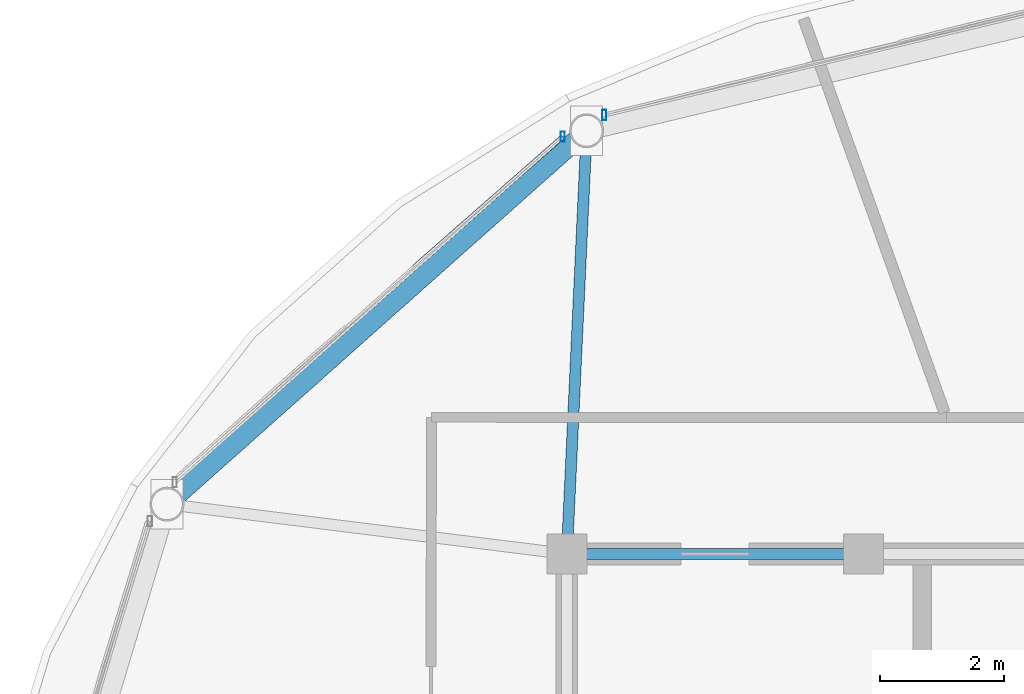
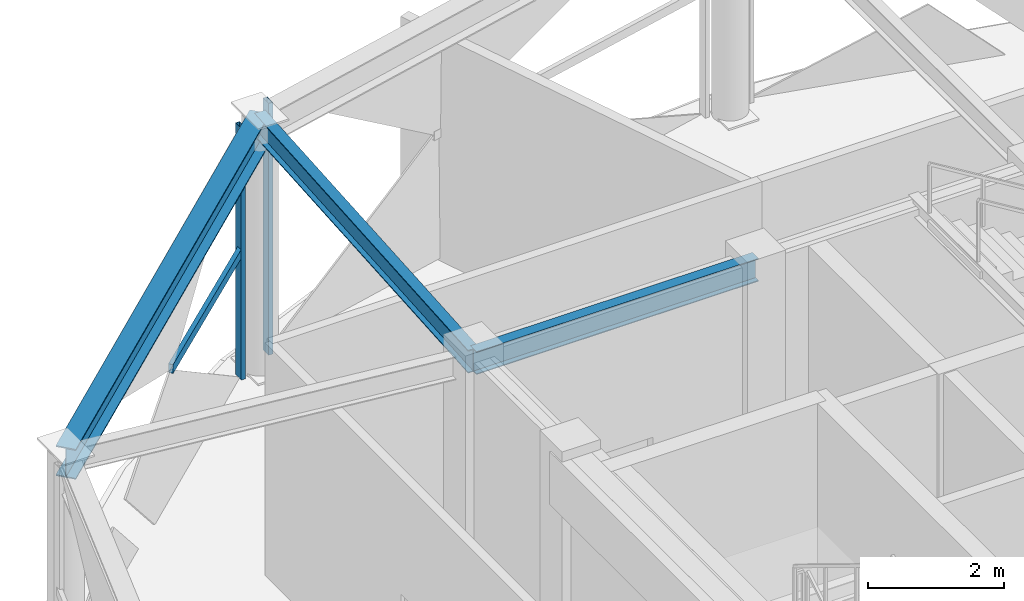
# One storey, part 9 of 22: 3 beams, 3 members, 2 elements without a shape of their own.
"""IFC4 building model written with IfcOpenShell, lengths in metres."""

from ifc_helpers import new_model, si_unit, direction, frame, origin, origin_2d, place, context, subcontext, project, spatial, hollow_rectangle, i_section, extrude, material, layer, layer_set, material_profile, profile_set, type_object, element, aggregate, save


model = new_model("IFC4")

# Units and contexts
model_context = context("Model", 3, precision=1e-05, world=origin(), true_north=direction((0.0, 1.0)))
body_context = subcontext(model_context, "Body", "Model", "MODEL_VIEW")
ifc_project = project(units=[si_unit("LENGTHUNIT", "METRE"), si_unit("AREAUNIT", "SQUARE_METRE"), si_unit("VOLUMEUNIT", "CUBIC_METRE"), si_unit("PLANEANGLEUNIT", "RADIAN"), si_unit("MASSUNIT", "GRAM", prefix="KILO")], contexts=[model_context])

# Site, building, storey
site_placement = place(None, origin())
site = spatial("IfcSite", under=ifc_project, at=site_placement, CompositionType="ELEMENT")
building_placement = place(site_placement, origin())
building = spatial("IfcBuilding", under=site, at=building_placement, Name="Vantalir Tower", CompositionType="ELEMENT")
storey_placement = place(building_placement, frame((0.0, 0.0, 294.89990234375)))
storey = spatial("IfcBuildingStorey", under=building, at=storey_placement, Name="L74", CompositionType="ELEMENT", Elevation=294.89990234375)

# Beams
ifc_material_1 = material(Name="Steel S355", Category="steel")
ifc_material_profile_1 = material_profile(ifc_material_1, i_section(OverallWidth=0.179931640625, OverallDepth=0.4130859375, WebThickness=0.009521484375, FlangeThickness=0.01611328125, at=origin_2d()), Name="Steel S355")
ifc_profile_set_1 = profile_set([ifc_material_profile_1], Name="Steel S355")
beam_type_1 = type_object("IfcBeamType", Name="BM-RB-406x178", PredefinedType="BEAM", material=ifc_profile_set_1)
beam_1_placement = place(storey_placement, frame((26.699951171875, 32.449951171875, 4.4140625), z_axis=(-1.0, 0.0, 0.0), x_axis=(0.0, -1.0, 0.0)))
element("IfcBeam", 1, at=beam_1_placement, inside=storey, type_object=beam_type_1, Name="L74 Core Coupling Girder 11", PredefinedType="BEAM", context=body_context, shape_type="SweptSolid", body=[
    extrude(i_section(OverallWidth=0.179931640625, OverallDepth=0.4130859375, WebThickness=0.009521484375, FlangeThickness=0.01611328125, at=origin_2d()), origin(), (0.0, 0.0, 1.0), 4.800048828125),
])
beam_2_placement = place(storey_placement, frame((22.219970703125, 39.300048828125, 4.4140625), z_axis=(-0.04667372074, -0.998910188051, 0.0), x_axis=(0.998910188051, -0.04667372074, 0.0)))
element("IfcBeam", 2, at=beam_2_placement, inside=storey, type_object=beam_type_1, Name="L74 Radial Floor Beam 05", PredefinedType="BEAM", context=body_context, shape_type="SweptSolid", body=[
    extrude(i_section(OverallWidth=0.179931640625, OverallDepth=0.4130859375, WebThickness=0.009521484375, FlangeThickness=0.01611328125, at=origin_2d()), origin(), (0.0, 0.0, 1.0), 6.857666015625),
])
ifc_material_2 = material(Name="Steel S460", Category="steel")
ifc_material_profile_2 = material_profile(ifc_material_2, i_section(OverallWidth=0.31201171875, OverallDepth=0.5419921875, WebThickness=0.0126953125, FlangeThickness=0.020263671875, at=origin_2d()), Name="Steel S460")
ifc_profile_set_2 = profile_set([ifc_material_profile_2], Name="Steel S460")
beam_type_2 = type_object("IfcBeamType", Name="BM-RG-533x312", PredefinedType="USERDEFINED", material=ifc_profile_set_2)
beam_3_placement = place(storey_placement, frame((22.219970703125, 39.300048828125, 4.34912109375), z_axis=(-0.747095174026, -0.664717083388, 0.0), x_axis=(0.664717083388, -0.747095174026, 0.0)))
element("IfcBeam", 3, at=beam_3_placement, inside=storey, type_object=beam_type_2, Name="L74 Circumferential Ring Girder 05", ObjectType="GIRDER", PredefinedType="USERDEFINED", context=body_context, shape_type="SweptSolid", body=[
    extrude(i_section(OverallWidth=0.31201171875, OverallDepth=0.5419921875, WebThickness=0.0126953125, FlangeThickness=0.020263671875, at=origin_2d()), origin(), (0.0, 0.0, 1.0), 9.092529296875),
])

# Curtain wall, member
ifc_material_3 = material(Name="Champagne-silver PVDF aluminium and double-silver Low-E glass", Category="aluminium")
ifc_layer = layer(ifc_material_3, 0.219970703125)
ifc_layer_set = layer_set([ifc_layer], Name="Champagne-silver PVDF aluminium and double-silver Low-E glass")
curtain_wall_type = type_object("IfcCurtainWallType", Name="CW-DIAMOND-Z4", PredefinedType="USERDEFINED", material=ifc_layer_set)
curtain_wall_1_placement = place(storey_placement, origin())
curtain_wall_1 = element("IfcCurtainWall", 4, at=curtain_wall_1_placement, inside=storey, type_object=curtain_wall_type, Name="L74 Quilted Pyramid-Diamond Curtain Wall S04", ObjectType="UNITISED CURTAIN WALL", PredefinedType="USERDEFINED")
ifc_material_4 = material(Name="Champagne-silver PVDF aluminium 6063-T6", Category="aluminium")
ifc_material_profile_3 = material_profile(ifc_material_4, hollow_rectangle(XDim=0.070068359375, YDim=0.1650390625, WallThickness=0.00390625, at=origin_2d()), Name="Champagne-silver PVDF aluminium 6063-T6")
ifc_profile_set_3 = profile_set([ifc_material_profile_3], Name="Champagne-silver PVDF aluminium 6063-T6")
member_type_1 = type_object("IfcMemberType", Name="CWM-165x70", PredefinedType="MULLION", material=ifc_profile_set_3)
member_1_placement = place(storey_placement, frame((22.50390625, 39.554931640625, 0.045166015625), z_axis=(0.0, 0.0, 1.0), x_axis=(1.0, 0.0, 0.0)))
member_1 = element("IfcMember", 5, at=member_1_placement, type_object=member_type_1, Name="CW-L74-S04 Mullion 2", PredefinedType="MULLION", context=body_context, shape_type="SweptSolid", body=[
    extrude(hollow_rectangle(XDim=0.070068359375, YDim=0.1650390625, WallThickness=0.00390625, at=origin_2d()), origin(), (0.0, 0.0, 1.0), 4.530029296875),
])
aggregate(curtain_wall_1, [member_1])

# Curtain wall, members
curtain_wall_2_placement = place(storey_placement, origin())
curtain_wall_2 = element("IfcCurtainWall", 6, at=curtain_wall_2_placement, inside=storey, type_object=curtain_wall_type, Name="L74 Quilted Pyramid-Diamond Curtain Wall S05", ObjectType="UNITISED CURTAIN WALL", PredefinedType="USERDEFINED")
member_2_placement = place(storey_placement, frame((21.833984375, 39.205078125, 0.045166015625), z_axis=(0.0, 0.0, 1.0), x_axis=(1.0, 0.0, 0.0)))
member_2 = element("IfcMember", 7, at=member_2_placement, type_object=member_type_1, Name="CW-L74-S05 Mullion 1", PredefinedType="MULLION", context=body_context, shape_type="SweptSolid", body=[
    extrude(hollow_rectangle(XDim=0.070068359375, YDim=0.1650390625, WallThickness=0.00390625, at=origin_2d()), origin(), (0.0, 0.0, 1.0), 4.530029296875),
])
ifc_material_profile_4 = material_profile(ifc_material_4, hollow_rectangle(XDim=0.074951171875, YDim=0.159912109375, WallThickness=0.00390625, at=origin_2d()), Name="Champagne-silver PVDF aluminium 6063-T6")
ifc_profile_set_4 = profile_set([ifc_material_profile_4], Name="Champagne-silver PVDF aluminium 6063-T6")
member_type_2 = type_object("IfcMemberType", Name="CWT-160x75", PredefinedType="USERDEFINED", material=ifc_profile_set_4)
member_3_placement = place(storey_placement, frame((21.833984375, 39.205078125, 2.31005859375), z_axis=(-0.751710643709, -0.659493069057, 0.0), x_axis=(0.659493069057, -0.751710643709, 0.0)))
member_3 = element("IfcMember", 8, at=member_3_placement, type_object=member_type_2, Name="CW-L74-S05 Pyramid Fold Ridge Transom", ObjectType="TRANSOM", PredefinedType="USERDEFINED", context=body_context, shape_type="SweptSolid", body=[
    extrude(hollow_rectangle(XDim=0.074951171875, YDim=0.159912109375, WallThickness=0.00390625, at=origin_2d()), origin(), (0.0, 0.0, 1.0), 3.197998046875),
])
aggregate(curtain_wall_2, [member_2, member_3])

save(model, "model.ifc")
